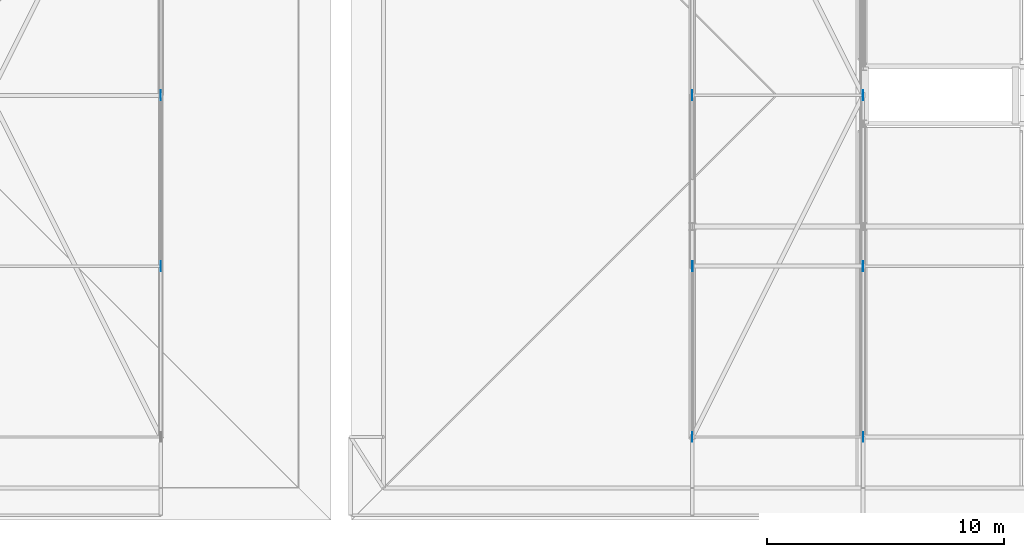
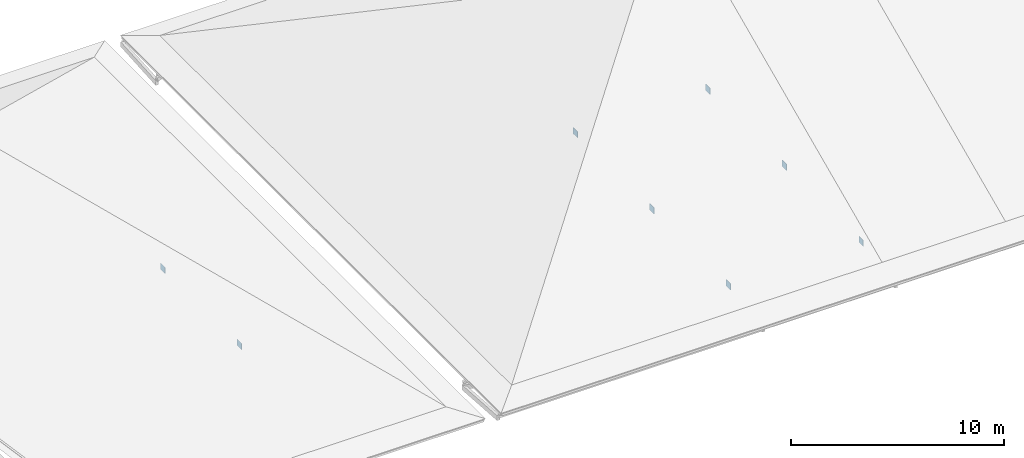
# One storey, part 63 of 100: 8 plates.
"""IFC4 building model written with IfcOpenShell, lengths in metres."""

from ifc_helpers import new_model, si_unit, direction, frame, origin, origin_2d, place, context, subcontext, project, spatial, rectangle, extrude, material, layer, layer_set, type_object, element, save


model = new_model("IFC4")

# Units and contexts
model_context = context("Model", 3, precision=1e-05, world=origin(), true_north=direction((0.0, 1.0)))
body_context = subcontext(model_context, "Body", "Model", "MODEL_VIEW")
ifc_project = project(units=[si_unit("LENGTHUNIT", "METRE"), si_unit("AREAUNIT", "SQUARE_METRE"), si_unit("VOLUMEUNIT", "CUBIC_METRE"), si_unit("PLANEANGLEUNIT", "RADIAN"), si_unit("MASSUNIT", "GRAM", prefix="KILO")], contexts=[model_context])

# Site, building, storey
site_placement = place(None, origin())
site = spatial("IfcSite", under=ifc_project, at=site_placement, CompositionType="ELEMENT")
building_placement = place(site_placement, origin())
building = spatial("IfcBuilding", under=site, at=building_placement, Name="Steenspoor Specialist Clinic", CompositionType="ELEMENT")
storey_placement = place(building_placement, frame((0.0, 0.0, 9.0)))
storey = spatial("IfcBuildingStorey", under=building, at=storey_placement, Name="L02", CompositionType="ELEMENT", Elevation=9.0)

# Plates
ifc_material = material(Name="Steel A572 Grade 50", Category="steel")
ifc_layer_1 = layer(ifc_material, 0.010009765625)
ifc_layer_set_1 = layer_set([ifc_layer_1], Name="Steel A572 Grade 50")
plate_type_1 = type_object("IfcPlateType", Name="PL-CAP-10", PredefinedType="SHEET", material=ifc_layer_set_1)
for number, where, z_axis, x_axis, name in (
    (1, (110.0, 20.25, 0.15283203125), (0.0, 0.0, 1.0), (1.0, 0.0, 0.0), "Truss Gusset Plate GP-10"),
    (2, (132.39990234375, 27.449951171875, 0.1015625), (0.0, 0.0, 1.0), (1.0, 0.0, 0.0), "Truss Gusset Plate GP-10"),
    (3, (139.60009765625, 13.050048828125, 0.07373046875), (0.0, 0.0, 1.0), (1.0, 0.0, 0.0), "Truss Gusset Plate GP-10"),
):
    element("IfcPlate", number, at=place(storey_placement, frame(where, z_axis=z_axis, x_axis=x_axis)), inside=storey, type_object=plate_type_1, Name=name, PredefinedType="SHEET", context=body_context, shape_type="SweptSolid", body=[
        extrude(rectangle(XDim=0.010009765625, YDim=0.419921875, at=origin_2d()), origin(), (0.0, 0.0, 1.0), 0.360107421875),
    ])
ifc_layer_2 = layer(ifc_material, 0.01611328125)
ifc_layer_set_2 = layer_set([ifc_layer_2], Name="Steel A572 Grade 50")
plate_type_2 = type_object("IfcPlateType", Name="PL-GUS-16", PredefinedType="SHEET", material=ifc_layer_set_2)
for number, where, z_axis, x_axis, name in (
    (4, (110.0, 27.449951171875, 0.15283203125), (0.0, 0.0, 1.0), (1.0, 0.0, 0.0), "Truss Gusset Plate GP-16"),
    (5, (132.39990234375, 13.050048828125, 0.1015625), (0.0, 0.0, 1.0), (1.0, 0.0, 0.0), "Truss Gusset Plate GP-16"),
    (6, (139.60009765625, 20.25, 0.07373046875), (0.0, 0.0, 1.0), (1.0, 0.0, 0.0), "Truss Gusset Plate GP-16"),
):
    element("IfcPlate", number, at=place(storey_placement, frame(where, z_axis=z_axis, x_axis=x_axis)), inside=storey, type_object=plate_type_2, Name=name, PredefinedType="SHEET", context=body_context, shape_type="SweptSolid", body=[
        extrude(rectangle(XDim=0.01611328125, YDim=0.419921875, at=origin_2d()), origin(), (0.0, 0.0, 1.0), 0.360107421875),
    ])
ifc_layer_3 = layer(ifc_material, 0.02392578125)
ifc_layer_set_3 = layer_set([ifc_layer_3], Name="Steel A572 Grade 50")
plate_type_3 = type_object("IfcPlateType", Name="PL-GUS-24", PredefinedType="SHEET", material=ifc_layer_set_3)
for number, where, z_axis, x_axis, name in (
    (7, (132.39990234375, 20.25, 0.1015625), (0.0, 0.0, 1.0), (1.0, 0.0, 0.0), "Truss Gusset Plate GP-24"),
    (8, (139.60009765625, 27.449951171875, 0.07373046875), (0.0, 0.0, 1.0), (1.0, 0.0, 0.0), "Truss Gusset Plate GP-24"),
):
    element("IfcPlate", number, at=place(storey_placement, frame(where, z_axis=z_axis, x_axis=x_axis)), inside=storey, type_object=plate_type_3, Name=name, PredefinedType="SHEET", context=body_context, shape_type="SweptSolid", body=[
        extrude(rectangle(XDim=0.02392578125, YDim=0.419921875, at=origin_2d()), origin(), (0.0, 0.0, 1.0), 0.360107421875),
    ])

save(model, "model.ifc")
